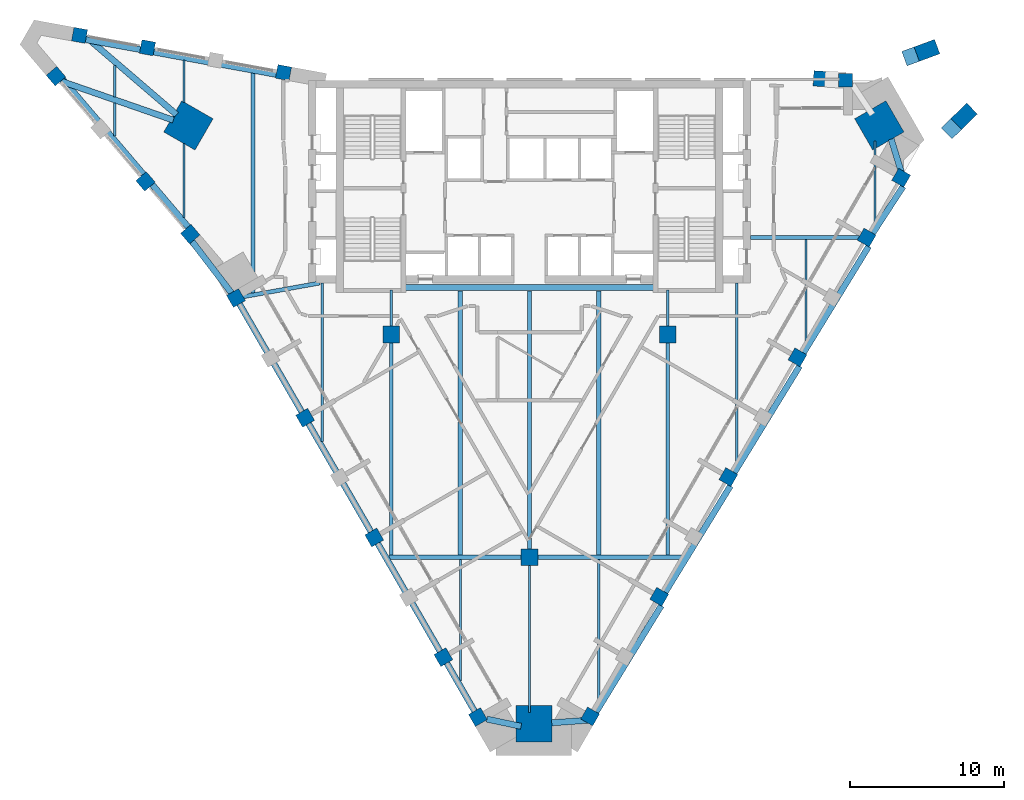
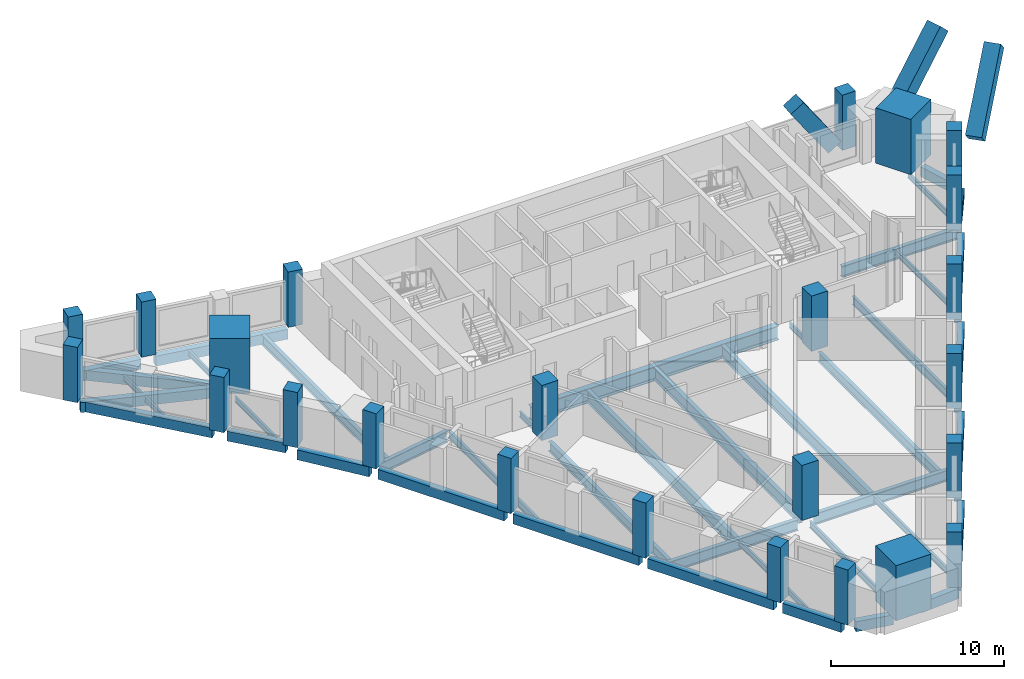
# One storey, part 1 of 9: 43 beams, 27 columns.
"""IFC4 building model written with IfcOpenShell, lengths in metres."""

from ifc_helpers import new_model, si_unit, direction, frame, origin, origin_2d, place, context, subcontext, project, spatial, rectangle, i_section, extrude, material, material_profile, profile_set, type_object, element, save


model = new_model("IFC4")

# Units and contexts
model_context = context("Model", 3, precision=1e-05, world=origin(), true_north=direction((0.0, 1.0)))
body_context = subcontext(model_context, "Body", "Model", "MODEL_VIEW")
ifc_project = project(units=[si_unit("LENGTHUNIT", "METRE"), si_unit("AREAUNIT", "SQUARE_METRE"), si_unit("VOLUMEUNIT", "CUBIC_METRE"), si_unit("PLANEANGLEUNIT", "RADIAN"), si_unit("MASSUNIT", "GRAM", prefix="KILO")], contexts=[model_context])

# Site, building, storey
site_placement = place(None, origin())
site = spatial("IfcSite", under=ifc_project, at=site_placement, CompositionType="ELEMENT")
building_placement = place(site_placement, origin())
building = spatial("IfcBuilding", under=site, at=building_placement, Name="Calabash Gate Tower", CompositionType="ELEMENT")
storey_placement = place(building_placement, frame((0.0, 0.0, 235.39990234375)))
storey = spatial("IfcBuildingStorey", under=building, at=storey_placement, Name="L56", CompositionType="ELEMENT", Elevation=235.39990234375)

# Columns
ifc_material_1 = material(Name="Concrete C60/75", Category="concrete")
ifc_material_profile_1 = material_profile(ifc_material_1, rectangle(XDim=1.10009765625, YDim=1.10009765625, at=origin_2d()))
ifc_profile_set_1 = profile_set([ifc_material_profile_1], Name="Concrete C60/75")
column_type_1 = type_object("IfcColumnType", Name="Interior column RC 1100x1100 Concrete C60/75", PredefinedType="COLUMN", material=ifc_profile_set_1)
for number, where, z_axis, x_axis, name in (
    (1, (-9.0, 2.5, 0.0), (0.0, 0.0, 1.0), (1.0, 0.0, 0.0), "Interior column L56 I0"),
    (2, (9.0, 2.5, 0.0), (0.0, 0.0, 1.0), (1.0, 0.0, 0.0), "Interior column L56 I1"),
    (3, (0.0, -12.0, 0.0), (0.0, 0.0, 1.0), (1.0, 0.0, 0.0), "Interior column L56 I2"),
):
    element("IfcColumn", number, at=place(storey_placement, frame(where, z_axis=z_axis, x_axis=x_axis)), inside=storey, type_object=column_type_1, Name=name, PredefinedType="COLUMN", context=body_context, shape_type="SweptSolid", body=[
        extrude(rectangle(XDim=1.10009765625, YDim=1.10009765625, at=origin_2d()), origin(), (0.0, 0.0, 1.0), 3.900146484375),
    ])
ifc_material_2 = material(Name="Concrete C70/85", Category="concrete")
ifc_material_profile_2 = material_profile(ifc_material_2, rectangle(XDim=2.35009765625, YDim=2.35009765625, at=origin_2d()))
ifc_profile_set_2 = profile_set([ifc_material_profile_2], Name="Concrete C70/85")
column_type_2 = type_object("IfcColumnType", Name="Mega column RC 2350x2350 Concrete C70/85", PredefinedType="COLUMN", material=ifc_profile_set_2)
for number, where, z_axis, x_axis, name in (
    (4, (-22.2060546875, 16.116943359375, 0.0), (0.0, 0.0, 1.0), (0.866025412511, -0.499999984885, 0.0), "Mega column L56 NW"),
    (5, (22.77392578125, 16.116943359375, 0.0), (0.0, 0.0, 1.0), (-0.866025412511, -0.499999984885, 0.0), "Mega column L56 NE"),
    (6, (0.283935546875, -22.8369140625, 0.0), (0.0, 0.0, 1.0), (0.0, 1.0, 0.0), "Mega column L56 S"),
):
    element("IfcColumn", number, at=place(storey_placement, frame(where, z_axis=z_axis, x_axis=x_axis)), inside=storey, type_object=column_type_2, Name=name, PredefinedType="COLUMN", context=body_context, shape_type="SweptSolid", body=[
        extrude(rectangle(XDim=2.35009765625, YDim=2.35009765625, at=origin_2d()), origin(), (0.0, 0.0, 1.0), 3.900146484375),
    ])
ifc_material_3 = material(Name="Concrete C60/75", Category="concrete")
ifc_material_profile_3 = material_profile(ifc_material_3, rectangle(XDim=0.89990234375, YDim=0.89990234375, at=origin_2d()))
ifc_profile_set_3 = profile_set([ifc_material_profile_3], Name="Concrete C60/75")
column_type_3 = type_object("IfcColumnType", Name="Perimeter column RC 900x900 Concrete C60/75", PredefinedType="COLUMN", material=ifc_profile_set_3)
for number, where, z_axis, x_axis, name in (
    (7, (-19.10693359375, 4.8779296875, 0.0), (0.0, 0.0, 1.0), (0.5, -0.866025403784, 0.0), "Perimeter column L56 P00"),
    (8, (-14.60693359375, -2.9169921875, 0.0), (0.0, 0.0, 1.0), (0.5, -0.866025403784, 0.0), "Perimeter column L56 P01"),
    (9, (-10.10693359375, -10.7109375, 0.0), (0.0, 0.0, 1.0), (0.5, -0.866025403784, 0.0), "Perimeter column L56 P02"),
    (10, (-5.60693359375, -18.5029296875, 0.0), (0.0, 0.0, 1.0), (0.5, -0.866025403784, 0.0), "Perimeter column L56 P03"),
    (11, (-3.35693359375, -22.402099609375, 0.0), (0.0, 0.0, 1.0), (0.5, -0.866025403784, 0.0), "Perimeter column L56 P25"),
    (12, (3.946044921875, -22.363037109375, 0.0), (0.0, 0.0, 1.0), (0.5, 0.866025403784, 0.0), "Perimeter column L56 P08"),
    (13, (8.446044921875, -14.571044921875, 0.0), (0.0, 0.0, 1.0), (0.5, 0.866025403784, 0.0), "Perimeter column L56 P09"),
    (14, (12.946044921875, -6.77587890625, 0.0), (0.0, 0.0, 1.0), (0.5, 0.866025403784, 0.0), "Perimeter column L56 P10"),
    (15, (17.446044921875, 1.01806640625, 0.0), (0.0, 0.0, 1.0), (0.5, 0.866025403784, 0.0), "Perimeter column L56 P11"),
    (16, (21.946044921875, 8.81201171875, 0.0), (0.0, 0.0, 1.0), (0.5, 0.866025403784, 0.0), "Perimeter column L56 P12"),
    (17, (24.196044921875, 12.708984375, 0.0), (0.0, 0.0, 1.0), (0.5, 0.866025403784, 0.0), "Perimeter column L56 P13"),
    (18, (20.576904296875, 19.052978515625, 0.0), (0.0, 0.0, 1.0), (-1.0, 0.0, 0.0), "Perimeter column L56 P24"),
    (19, (-16.012939453125, 19.551025390625, 0.0), (0.0, 0.0, 1.0), (-0.983669930074, 0.179981856499, 0.0), "Perimeter column L56 P31"),
    (20, (-24.865966796875, 21.1708984375, 0.0), (0.0, 0.0, 1.0), (-0.983669930074, 0.179981856499, 0.0), "Perimeter column L56 P32"),
    (21, (-29.29296875, 21.97998046875, 0.0), (0.0, 0.0, 1.0), (-0.983669930074, 0.179981856499, 0.0), "Perimeter column L56 P33"),
    (22, (-30.827880859375, 19.322021484375, 0.0), (0.0, 0.0, 1.0), (0.647703824985, -0.761892220133, 0.0), "Perimeter column L56 P34"),
    (23, (-24.998046875, 12.467041015625, 0.0), (0.0, 0.0, 1.0), (0.647703824985, -0.761892220133, 0.0), "Perimeter column L56 P20"),
    (24, (-22.083984375, 9.037109375, 0.0), (0.0, 0.0, 1.0), (0.647703824985, -0.761892220133, 0.0), "Perimeter column L56 P35"),
):
    element("IfcColumn", number, at=place(storey_placement, frame(where, z_axis=z_axis, x_axis=x_axis)), inside=storey, type_object=column_type_3, Name=name, PredefinedType="COLUMN", context=body_context, shape_type="SweptSolid", body=[
        extrude(rectangle(XDim=0.89990234375, YDim=0.89990234375, at=origin_2d()), origin(), (0.0, 0.0, 1.0), 3.900146484375),
    ])
ifc_material_4 = material(Name="Concrete C80/95", Category="concrete")
ifc_material_profile_4 = material_profile(ifc_material_4, rectangle(XDim=1.0, YDim=1.0, at=origin_2d()))
ifc_profile_set_4 = profile_set([ifc_material_profile_4], Name="Concrete C80/95")
column_type_4 = type_object("IfcColumnType", Name="Prow kicker column RC 1000x1000 Concrete C80/95", PredefinedType="COLUMN", material=ifc_profile_set_4)
column_1_placement = place(storey_placement, frame((27.408935546875, 15.842041015625, 0.0), z_axis=(0.514246555748, 0.501926926926, 0.695427810724), x_axis=(-0.497666803247, -0.485744369884, 0.718595964414)))
element("IfcColumn", 25, at=column_1_placement, inside=storey, type_object=column_type_4, Name="Prow kicker column L56 KP37", PredefinedType="COLUMN", context=body_context, shape_type="SweptSolid", body=[
    extrude(rectangle(XDim=1.0, YDim=1.0, at=origin_2d()), origin(), (0.0, 0.0, 1.0), 5.608154296875),
])
column_2_placement = place(storey_placement, frame((24.738037109375, 20.5830078125, 0.0), z_axis=(0.666505808109, 0.244970194516, 0.704101989456), x_axis=(-0.660877087805, -0.242901392277, 0.71009885822)))
element("IfcColumn", 26, at=column_2_placement, inside=storey, type_object=column_type_4, Name="Prow kicker column L56 KP38", PredefinedType="COLUMN", context=body_context, shape_type="SweptSolid", body=[
    extrude(rectangle(XDim=1.0, YDim=1.0, at=origin_2d()), origin(), (0.0, 0.0, 1.0), 5.5390625),
])
column_3_placement = place(storey_placement, frame((19.660888671875, 19.10791015625, 0.384033203125), z_axis=(-0.567220540472, 0.034679982682, 0.822835437538), x_axis=(0.821301804934, -0.050214564423, 0.56827972226)))
element("IfcColumn", 27, at=column_3_placement, inside=storey, type_object=column_type_4, Name="Prow kicker column L56 KP40", PredefinedType="COLUMN", context=body_context, shape_type="SweptSolid", body=[
    extrude(rectangle(XDim=1.0, YDim=1.0, at=origin_2d()), origin(), (0.0, 0.0, 1.0), 4.273193359375),
])

# Beams
ifc_material_5 = material(Name="Concrete C50/60", Category="concrete")
ifc_material_profile_5 = material_profile(ifc_material_5, rectangle(XDim=0.39990234375, YDim=0.699951171875, at=origin_2d()))
ifc_profile_set_5 = profile_set([ifc_material_profile_5], Name="Concrete C50/60")
beam_type_1 = type_object("IfcBeamType", Name="Edge beam RC 400x700 Concrete C50/60", PredefinedType="BEAM", material=ifc_profile_set_5)
beam_1_placement = place(storey_placement, frame((-14.39306640625, -3.282958984375, -0.52001953125), z_axis=(0.499782711929, -0.86615081877, 0.0), x_axis=(0.86615081877, 0.499782711929, 0.0)))
element("IfcBeam", 28, at=beam_1_placement, inside=storey, type_object=beam_type_1, Name="Edge beam L56 1", PredefinedType="BEAM", context=body_context, shape_type="SweptSolid", body=[
    extrude(rectangle(XDim=0.39990234375, YDim=0.699951171875, at=origin_2d()), origin(), (0.0, 0.0, 1.0), 8.417724609375),
])
beam_2_placement = place(storey_placement, frame((-9.89306640625, -11.0791015625, -0.52001953125), z_axis=(0.499895729157, -0.866085596215, 0.0), x_axis=(0.866085596215, 0.499895729157, 0.0)))
element("IfcBeam", 29, at=beam_2_placement, inside=storey, type_object=beam_type_1, Name="Edge beam L56 2", PredefinedType="BEAM", context=body_context, shape_type="SweptSolid", body=[
    extrude(rectangle(XDim=0.39990234375, YDim=0.699951171875, at=origin_2d()), origin(), (0.0, 0.0, 1.0), 8.415771484375),
])
beam_3_placement = place(storey_placement, frame((-5.39306640625, -18.873046875, -0.52001953125), z_axis=(0.499976213158, -0.866039136689, 0.0), x_axis=(0.866039136689, 0.499976213158, 0.0)))
element("IfcBeam", 30, at=beam_3_placement, inside=storey, type_object=beam_type_1, Name="Edge beam L56 3", PredefinedType="BEAM", context=body_context, shape_type="SweptSolid", body=[
    extrude(rectangle(XDim=0.39990234375, YDim=0.699951171875, at=origin_2d()), origin(), (0.0, 0.0, 1.0), 3.914306640625),
])
beam_4_placement = place(storey_placement, frame((-2.780029296875, -22.533935546875, -0.52001953125), z_axis=(0.978365528321, -0.206883766868, 0.0), x_axis=(0.206883766868, 0.978365528321, 0.0)))
element("IfcBeam", 31, at=beam_4_placement, inside=storey, type_object=beam_type_1, Name="Edge beam L56 4", PredefinedType="BEAM", context=body_context, shape_type="SweptSolid", body=[
    extrude(rectangle(XDim=0.39990234375, YDim=0.699951171875, at=origin_2d()), origin(), (0.0, 0.0, 1.0), 2.2822265625),
])
beam_5_placement = place(storey_placement, frame((1.447021484375, -22.777099609375, -0.52001953125), z_axis=(0.997431969311, 0.071620294589, 0.0), x_axis=(-0.071620294589, 0.997431969311, 0.0)))
element("IfcBeam", 32, at=beam_5_placement, inside=storey, type_object=beam_type_1, Name="Edge beam L56 5", PredefinedType="BEAM", context=body_context, shape_type="SweptSolid", body=[
    extrude(rectangle(XDim=0.39990234375, YDim=0.699951171875, at=origin_2d()), origin(), (0.0, 0.0, 1.0), 2.556640625),
])
beam_6_placement = place(storey_placement, frame((4.323974609375, -22.089111328125, -0.52001953125), z_axis=(0.522633729228, 0.852557320696, 0.0), x_axis=(-0.852557320696, 0.522633729228, 0.0)))
element("IfcBeam", 33, at=beam_6_placement, inside=storey, type_object=beam_type_1, Name="Edge beam L56 6", PredefinedType="BEAM", context=body_context, shape_type="SweptSolid", body=[
    extrude(rectangle(XDim=0.39990234375, YDim=0.699951171875, at=origin_2d()), origin(), (0.0, 0.0, 1.0), 8.147216796875),
])
beam_7_placement = place(storey_placement, frame((8.823974609375, -14.2939453125, -0.52001953125), z_axis=(0.522700496269, 0.852516387643, 0.0), x_axis=(-0.852516387643, 0.522700496269, 0.0)))
element("IfcBeam", 34, at=beam_7_placement, inside=storey, type_object=beam_type_1, Name="Edge beam L56 7", PredefinedType="BEAM", context=body_context, shape_type="SweptSolid", body=[
    extrude(rectangle(XDim=0.39990234375, YDim=0.699951171875, at=origin_2d()), origin(), (0.0, 0.0, 1.0), 8.146240234375),
])
beam_8_placement = place(storey_placement, frame((13.323974609375, -6.5, -0.52001953125), z_axis=(0.522580325568, 0.852590055847, 0.0), x_axis=(-0.852590055847, 0.522580325568, 0.0)))
element("IfcBeam", 35, at=beam_8_placement, inside=storey, type_object=beam_type_1, Name="Edge beam L56 8", PredefinedType="BEAM", context=body_context, shape_type="SweptSolid", body=[
    extrude(rectangle(XDim=0.39990234375, YDim=0.699951171875, at=origin_2d()), origin(), (0.0, 0.0, 1.0), 8.148193359375),
])
beam_9_placement = place(storey_placement, frame((17.823974609375, 1.2939453125, -0.52001953125), z_axis=(0.522633729228, 0.852557320696, 0.0), x_axis=(-0.852557320696, 0.522633729228, 0.0)))
element("IfcBeam", 36, at=beam_9_placement, inside=storey, type_object=beam_type_1, Name="Edge beam L56 9", PredefinedType="BEAM", context=body_context, shape_type="SweptSolid", body=[
    extrude(rectangle(XDim=0.39990234375, YDim=0.699951171875, at=origin_2d()), origin(), (0.0, 0.0, 1.0), 8.147216796875),
])
beam_10_placement = place(storey_placement, frame((22.333984375, 9.0830078125, -0.52001953125), z_axis=(0.544917784285, 0.838489480178, 0.0), x_axis=(-0.838489480178, 0.544917784285, 0.0)))
element("IfcBeam", 37, at=beam_10_placement, inside=storey, type_object=beam_type_1, Name="Edge beam L56 10", PredefinedType="BEAM", context=body_context, shape_type="SweptSolid", body=[
    extrude(rectangle(XDim=0.39990234375, YDim=0.699951171875, at=origin_2d()), origin(), (0.0, 0.0, 1.0), 3.6484375),
])
beam_11_placement = place(storey_placement, frame((24.341064453125, 12.64892578125, -0.52001953125), z_axis=(-0.294620568373, 0.955614315868, 0.0), x_axis=(-0.955614315868, -0.294620568373, 0.0)))
element("IfcBeam", 38, at=beam_11_placement, inside=storey, type_object=beam_type_1, Name="Edge beam L56 11", PredefinedType="BEAM", context=body_context, shape_type="SweptSolid", body=[
    extrude(rectangle(XDim=0.39990234375, YDim=0.699951171875, at=origin_2d()), origin(), (0.0, 0.0, 1.0), 2.69482421875),
])
beam_12_placement = place(storey_placement, frame((-16.491943359375, 19.43701171875, -0.52001953125), z_axis=(-0.983710376503, 0.179760660767, 0.0), x_axis=(-0.179760660767, -0.983710376503, 0.0)))
element("IfcBeam", 39, at=beam_12_placement, inside=storey, type_object=beam_type_1, Name="Edge beam L56 13", PredefinedType="BEAM", context=body_context, shape_type="SweptSolid", body=[
    extrude(rectangle(XDim=0.39990234375, YDim=0.699951171875, at=origin_2d()), origin(), (0.0, 0.0, 1.0), 8.099853515625),
])
beam_13_placement = place(storey_placement, frame((-25.343017578125, 21.056884765625, -0.52001953125), z_axis=(-0.983780846892, 0.179374594879, 0.0), x_axis=(-0.179374594879, -0.983780846892, 0.0)))
element("IfcBeam", 40, at=beam_13_placement, inside=storey, type_object=beam_type_1, Name="Edge beam L56 14", PredefinedType="BEAM", context=body_context, shape_type="SweptSolid", body=[
    extrude(rectangle(XDim=0.39990234375, YDim=0.699951171875, at=origin_2d()), origin(), (0.0, 0.0, 1.0), 3.601318359375),
])
beam_14_placement = place(storey_placement, frame((-28.873046875, 21.883056640625, -0.52001953125), z_axis=(0.758517949113, -0.651652147141, 0.0), x_axis=(0.651652147141, 0.758517949113, 0.0)))
element("IfcBeam", 41, at=beam_14_placement, inside=storey, type_object=beam_type_1, Name="Edge beam L56 15", PredefinedType="BEAM", context=body_context, shape_type="SweptSolid", body=[
    extrude(rectangle(XDim=0.39990234375, YDim=0.699951171875, at=origin_2d()), origin(), (0.0, 0.0, 1.0), 7.7744140625),
])
beam_15_placement = place(storey_placement, frame((-23.18408203125, 16.45703125, -0.52001953125), z_axis=(-0.944686766609, 0.3279739517, 0.0), x_axis=(-0.3279739517, -0.944686766609, 0.0)))
element("IfcBeam", 42, at=beam_15_placement, inside=storey, type_object=beam_type_1, Name="Edge beam L56 16", PredefinedType="BEAM", context=body_context, shape_type="SweptSolid", body=[
    extrude(rectangle(XDim=0.39990234375, YDim=0.699951171875, at=origin_2d()), origin(), (0.0, 0.0, 1.0), 7.778076171875),
])
beam_16_placement = place(storey_placement, frame((-30.384033203125, 19.10888671875, -0.52001953125), z_axis=(0.647777896435, -0.761829243919, 0.0), x_axis=(0.761829243919, 0.647777896435, 0.0)))
element("IfcBeam", 43, at=beam_16_placement, inside=storey, type_object=beam_type_1, Name="Edge beam L56 17", PredefinedType="BEAM", context=body_context, shape_type="SweptSolid", body=[
    extrude(rectangle(XDim=0.39990234375, YDim=0.699951171875, at=origin_2d()), origin(), (0.0, 0.0, 1.0), 8.10009765625),
])
beam_17_placement = place(storey_placement, frame((-24.553955078125, 12.251953125, -0.52001953125), z_axis=(0.647579511056, -0.761997885076, 0.0), x_axis=(0.761997885076, 0.647579511056, 0.0)))
element("IfcBeam", 44, at=beam_17_placement, inside=storey, type_object=beam_type_1, Name="Edge beam L56 18", PredefinedType="BEAM", context=body_context, shape_type="SweptSolid", body=[
    extrude(rectangle(XDim=0.39990234375, YDim=0.699951171875, at=origin_2d()), origin(), (0.0, 0.0, 1.0), 3.599609375),
])
beam_18_placement = place(storey_placement, frame((-21.972900390625, 8.56689453125, -0.52001953125), z_axis=(0.607868337106, -0.794037835839, 0.0), x_axis=(0.794037835839, 0.607868337106, 0.0)))
element("IfcBeam", 45, at=beam_18_placement, inside=storey, type_object=beam_type_1, Name="Edge beam L56 19", PredefinedType="BEAM", context=body_context, shape_type="SweptSolid", body=[
    extrude(rectangle(XDim=0.39990234375, YDim=0.699951171875, at=origin_2d()), origin(), (0.0, 0.0, 1.0), 4.505859375),
])
beam_19_placement = place(storey_placement, frame((-18.89306640625, 4.510009765625, -0.52001953125), z_axis=(0.499832936549, -0.86612183643, 0.0), x_axis=(0.86612183643, 0.499832936549, 0.0)))
element("IfcBeam", 46, at=beam_19_placement, inside=storey, type_object=beam_type_1, Name="Edge beam L56 20", PredefinedType="BEAM", context=body_context, shape_type="SweptSolid", body=[
    extrude(rectangle(XDim=0.39990234375, YDim=0.699951171875, at=origin_2d()), origin(), (0.0, 0.0, 1.0), 8.4169921875),
])
ifc_material_6 = material(Name="Steel ASTM A992 Gr50", Category="steel")
ifc_material_profile_6 = material_profile(ifc_material_6, i_section(OverallWidth=0.1396484375, OverallDepth=0.398681640625, WebThickness=0.00634765625, FlangeThickness=0.0087890625, FilletRadius=0.01025390625, at=origin_2d()))
ifc_profile_set_6 = profile_set([ifc_material_profile_6], Name="Steel ASTM A992 Gr50")
beam_type_2 = type_object("IfcBeamType", Name="Floor beam W16x26 ASTM A992 Gr50", PredefinedType="BEAM", material=ifc_profile_set_6)
beam_20_placement = place(storey_placement, frame((-27.0, 15.416015625, -0.368896484375), z_axis=(0.0, 1.0, 0.0), x_axis=(-1.0, 0.0, 0.0)))
element("IfcBeam", 47, at=beam_20_placement, inside=storey, type_object=beam_type_2, Name="Floor beam L56 1", PredefinedType="BEAM", context=body_context, shape_type="SweptSolid", body=[
    extrude(i_section(OverallWidth=0.1396484375, OverallDepth=0.398681640625, WebThickness=0.00634765625, FlangeThickness=0.0087890625, FilletRadius=0.01025390625, at=origin_2d()), origin(), (0.0, 0.0, 1.0), 2.1650390625),
])
beam_21_placement = place(storey_placement, frame((-27.0, 17.9609375, -0.368896484375), z_axis=(0.0, 1.0, 0.0), x_axis=(-1.0, 0.0, 0.0)))
element("IfcBeam", 48, at=beam_21_placement, inside=storey, type_object=beam_type_2, Name="Floor beam L56 2", PredefinedType="BEAM", context=body_context, shape_type="SweptSolid", body=[
    extrude(i_section(OverallWidth=0.1396484375, OverallDepth=0.398681640625, WebThickness=0.00634765625, FlangeThickness=0.0087890625, FilletRadius=0.01025390625, at=origin_2d()), origin(), (0.0, 0.0, 1.0), 2.071044921875),
])
beam_22_placement = place(storey_placement, frame((-22.5, 10.1220703125, -0.368896484375), z_axis=(0.0, 1.0, 0.0), x_axis=(-1.0, 0.0, 0.0)))
element("IfcBeam", 49, at=beam_22_placement, inside=storey, type_object=beam_type_2, Name="Floor beam L56 3", PredefinedType="BEAM", context=body_context, shape_type="SweptSolid", body=[
    extrude(i_section(OverallWidth=0.1396484375, OverallDepth=0.398681640625, WebThickness=0.00634765625, FlangeThickness=0.0087890625, FilletRadius=0.01025390625, at=origin_2d()), origin(), (0.0, 0.0, 1.0), 4.830810546875),
])
beam_23_placement = place(storey_placement, frame((-22.5, 17.6201171875, -0.368896484375), z_axis=(0.0, 1.0, 0.0), x_axis=(-1.0, 0.0, 0.0)))
element("IfcBeam", 50, at=beam_23_placement, inside=storey, type_object=beam_type_2, Name="Floor beam L56 4", PredefinedType="BEAM", context=body_context, shape_type="SweptSolid", body=[
    extrude(i_section(OverallWidth=0.1396484375, OverallDepth=0.398681640625, WebThickness=0.00634765625, FlangeThickness=0.0087890625, FilletRadius=0.01025390625, at=origin_2d()), origin(), (0.0, 0.0, 1.0), 2.742919921875),
])
beam_24_placement = place(storey_placement, frame((-9.0, 3.050048828125, -0.368896484375), z_axis=(0.0, 1.0, 0.0), x_axis=(-1.0, 0.0, 0.0)))
element("IfcBeam", 51, at=beam_24_placement, inside=storey, type_object=beam_type_2, Name="Floor beam L56 8", PredefinedType="BEAM", context=body_context, shape_type="SweptSolid", body=[
    extrude(i_section(OverallWidth=0.1396484375, OverallDepth=0.398681640625, WebThickness=0.00634765625, FlangeThickness=0.0087890625, FilletRadius=0.01025390625, at=origin_2d()), origin(), (0.0, 0.0, 1.0), 2.35302734375),
])
beam_25_placement = place(storey_placement, frame((-4.5, -20.053955078125, -0.368896484375), z_axis=(0.0, 1.0, 0.0), x_axis=(-1.0, 0.0, 0.0)))
element("IfcBeam", 52, at=beam_25_placement, inside=storey, type_object=beam_type_2, Name="Floor beam L56 9", PredefinedType="BEAM", context=body_context, shape_type="SweptSolid", body=[
    extrude(i_section(OverallWidth=0.1396484375, OverallDepth=0.398681640625, WebThickness=0.00634765625, FlangeThickness=0.0087890625, FilletRadius=0.01025390625, at=origin_2d()), origin(), (0.0, 0.0, 1.0), 7.9208984375),
])
beam_26_placement = place(storey_placement, frame((9.0, 3.050048828125, -0.368896484375), z_axis=(0.0, 1.0, 0.0), x_axis=(-1.0, 0.0, 0.0)))
element("IfcBeam", 53, at=beam_26_placement, inside=storey, type_object=beam_type_2, Name="Floor beam L56 16", PredefinedType="BEAM", context=body_context, shape_type="SweptSolid", body=[
    extrude(i_section(OverallWidth=0.1396484375, OverallDepth=0.398681640625, WebThickness=0.00634765625, FlangeThickness=0.0087890625, FilletRadius=0.01025390625, at=origin_2d()), origin(), (0.0, 0.0, 1.0), 2.35302734375),
])
beam_27_placement = place(storey_placement, frame((18.0, 1.947021484375, -0.368896484375), z_axis=(0.0, 1.0, 0.0), x_axis=(-1.0, 0.0, 0.0)))
element("IfcBeam", 54, at=beam_27_placement, inside=storey, type_object=beam_type_2, Name="Floor beam L56 18", PredefinedType="BEAM", context=body_context, shape_type="SweptSolid", body=[
    extrude(i_section(OverallWidth=0.1396484375, OverallDepth=0.398681640625, WebThickness=0.00634765625, FlangeThickness=0.0087890625, FilletRadius=0.01025390625, at=origin_2d()), origin(), (0.0, 0.0, 1.0), 6.73193359375),
])
beam_28_placement = place(storey_placement, frame((22.5, 9.679931640625, -0.368896484375), z_axis=(0.0, 1.0, 0.0), x_axis=(-1.0, 0.0, 0.0)))
element("IfcBeam", 55, at=beam_28_placement, inside=storey, type_object=beam_type_2, Name="Floor beam L56 19", PredefinedType="BEAM", context=body_context, shape_type="SweptSolid", body=[
    extrude(i_section(OverallWidth=0.1396484375, OverallDepth=0.398681640625, WebThickness=0.00634765625, FlangeThickness=0.0087890625, FilletRadius=0.01025390625, at=origin_2d()), origin(), (0.0, 0.0, 1.0), 5.4111328125),
])
ifc_material_7 = material(Name="Steel ASTM A992 Gr50", Category="steel")
ifc_material_profile_7 = material_profile(ifc_material_7, i_section(OverallWidth=0.15234375, OverallDepth=0.44970703125, WebThickness=0.007568359375, FlangeThickness=0.0107421875, FilletRadius=0.01025390625, at=origin_2d()))
ifc_profile_set_7 = profile_set([ifc_material_profile_7], Name="Steel ASTM A992 Gr50")
beam_type_3 = type_object("IfcBeamType", Name="Floor beam W18x35 ASTM A992 Gr50", PredefinedType="BEAM", material=ifc_profile_set_7)
beam_29_placement = place(storey_placement, frame((0.0, -22.093994140625, -0.392822265625), z_axis=(0.0, 1.0, 0.0), x_axis=(-1.0, 0.0, 0.0)))
element("IfcBeam", 56, at=beam_29_placement, inside=storey, type_object=beam_type_3, Name="Floor beam L56 11", PredefinedType="BEAM", context=body_context, shape_type="SweptSolid", body=[
    extrude(i_section(OverallWidth=0.15234375, OverallDepth=0.44970703125, WebThickness=0.007568359375, FlangeThickness=0.0107421875, FilletRadius=0.01025390625, at=origin_2d()), origin(), (0.0, 0.0, 1.0), 9.5439453125),
])
beam_30_placement = place(storey_placement, frame((4.5, -21.43701171875, -0.392822265625), z_axis=(0.0, 1.0, 0.0), x_axis=(-1.0, 0.0, 0.0)))
element("IfcBeam", 57, at=beam_30_placement, inside=storey, type_object=beam_type_3, Name="Floor beam L56 13", PredefinedType="BEAM", context=body_context, shape_type="SweptSolid", body=[
    extrude(i_section(OverallWidth=0.15234375, OverallDepth=0.44970703125, WebThickness=0.007568359375, FlangeThickness=0.0107421875, FilletRadius=0.01025390625, at=origin_2d()), origin(), (0.0, 0.0, 1.0), 9.303955078125),
])
ifc_material_8 = material(Name="Steel ASTM A992 Gr50", Category="steel")
ifc_material_profile_8 = material_profile(ifc_material_8, i_section(OverallWidth=0.166015625, OverallDepth=0.5283203125, WebThickness=0.009765625, FlangeThickness=0.013671875, FilletRadius=0.0126953125, at=origin_2d()))
ifc_profile_set_8 = profile_set([ifc_material_profile_8], Name="Steel ASTM A992 Gr50")
beam_type_4 = type_object("IfcBeamType", Name="Floor beam W21x50 ASTM A992 Gr50", PredefinedType="BEAM", material=ifc_profile_set_8)
beam_31_placement = place(storey_placement, frame((-13.5, -4.446044921875, -0.433837890625), z_axis=(0.0, 1.0, 0.0), x_axis=(-1.0, 0.0, 0.0)))
element("IfcBeam", 58, at=beam_31_placement, inside=storey, type_object=beam_type_4, Name="Floor beam L56 6", PredefinedType="BEAM", context=body_context, shape_type="SweptSolid", body=[
    extrude(i_section(OverallWidth=0.166015625, OverallDepth=0.5283203125, WebThickness=0.009765625, FlangeThickness=0.013671875, FilletRadius=0.0126953125, at=origin_2d()), origin(), (0.0, 0.0, 1.0), 10.299072265625),
])
ifc_material_9 = material(Name="Steel ASTM A992 Gr50", Category="steel")
ifc_material_profile_9 = material_profile(ifc_material_9, i_section(OverallWidth=0.1787109375, OverallDepth=0.60205078125, WebThickness=0.010986328125, FlangeThickness=0.014892578125, FilletRadius=0.0126953125, at=origin_2d()))
ifc_profile_set_9 = profile_set([ifc_material_profile_9], Name="Steel ASTM A992 Gr50")
beam_type_5 = type_object("IfcBeamType", Name="Floor beam W24x62 ASTM A992 Gr50", PredefinedType="BEAM", material=ifc_profile_set_9)
beam_32_placement = place(storey_placement, frame((13.5, -5.84912109375, -0.470947265625), z_axis=(0.0, 1.0, 0.0), x_axis=(-1.0, 0.0, 0.0)))
element("IfcBeam", 59, at=beam_32_placement, inside=storey, type_object=beam_type_5, Name="Floor beam L56 17", PredefinedType="BEAM", context=body_context, shape_type="SweptSolid", body=[
    extrude(i_section(OverallWidth=0.1787109375, OverallDepth=0.60205078125, WebThickness=0.010986328125, FlangeThickness=0.014892578125, FilletRadius=0.0126953125, at=origin_2d()), origin(), (0.0, 0.0, 1.0), 11.7021484375),
])
ifc_material_10 = material(Name="Steel ASTM A992 Gr50", Category="steel")
ifc_material_profile_10 = material_profile(ifc_material_10, i_section(OverallWidth=0.25390625, OverallDepth=0.67822265625, WebThickness=0.01171875, FlangeThickness=0.016357421875, FilletRadius=0.01513671875, at=origin_2d()))
ifc_profile_set_10 = profile_set([ifc_material_profile_10], Name="Steel ASTM A992 Gr50")
beam_type_6 = type_object("IfcBeamType", Name="Floor beam W27x84 ASTM A992 Gr50", PredefinedType="BEAM", material=ifc_profile_set_10)
beam_33_placement = place(storey_placement, frame((-18.0, 5.179931640625, -0.5087890625), z_axis=(0.0, 1.0, 0.0), x_axis=(-1.0, 0.0, 0.0)))
element("IfcBeam", 60, at=beam_33_placement, inside=storey, type_object=beam_type_6, Name="Floor beam L56 5", PredefinedType="BEAM", context=body_context, shape_type="SweptSolid", body=[
    extrude(i_section(OverallWidth=0.25390625, OverallDepth=0.67822265625, WebThickness=0.01171875, FlangeThickness=0.016357421875, FilletRadius=0.01513671875, at=origin_2d()), origin(), (0.0, 0.0, 1.0), 14.360107421875),
])
beam_34_placement = place(storey_placement, frame((-9.0, -11.8798828125, -0.5087890625), z_axis=(0.0, 1.0, 0.0), x_axis=(-1.0, 0.0, 0.0)))
element("IfcBeam", 61, at=beam_34_placement, inside=storey, type_object=beam_type_6, Name="Floor beam L56 7", PredefinedType="BEAM", context=body_context, shape_type="SweptSolid", body=[
    extrude(i_section(OverallWidth=0.25390625, OverallDepth=0.67822265625, WebThickness=0.01171875, FlangeThickness=0.016357421875, FilletRadius=0.01513671875, at=origin_2d()), origin(), (0.0, 0.0, 1.0), 13.829833984375),
])
beam_35_placement = place(storey_placement, frame((9.0, -11.866943359375, -0.5087890625), z_axis=(0.0, 1.0, 0.0), x_axis=(-1.0, 0.0, 0.0)))
element("IfcBeam", 62, at=beam_35_placement, inside=storey, type_object=beam_type_6, Name="Floor beam L56 15", PredefinedType="BEAM", context=body_context, shape_type="SweptSolid", body=[
    extrude(i_section(OverallWidth=0.25390625, OverallDepth=0.67822265625, WebThickness=0.01171875, FlangeThickness=0.016357421875, FilletRadius=0.01513671875, at=origin_2d()), origin(), (0.0, 0.0, 1.0), 13.81689453125),
])
ifc_material_11 = material(Name="Steel ASTM A992 Gr50", Category="steel")
ifc_material_profile_11 = material_profile(ifc_material_11, i_section(OverallWidth=0.2919921875, OverallDepth=0.845703125, WebThickness=0.015380859375, FlangeThickness=0.0244140625, FilletRadius=0.017822265625, at=origin_2d()))
ifc_profile_set_11 = profile_set([ifc_material_profile_11], Name="Steel ASTM A992 Gr50")
beam_type_7 = type_object("IfcBeamType", Name="Floor beam W33x141 ASTM A992 Gr50", PredefinedType="BEAM", material=ifc_profile_set_11)
beam_36_placement = place(storey_placement, frame((-4.5, -11.866943359375, -0.593017578125), z_axis=(0.0, 1.0, 0.0), x_axis=(-1.0, 0.0, 0.0)))
element("IfcBeam", 63, at=beam_36_placement, inside=storey, type_object=beam_type_7, Name="Floor beam L56 10", PredefinedType="BEAM", context=body_context, shape_type="SweptSolid", body=[
    extrude(i_section(OverallWidth=0.2919921875, OverallDepth=0.845703125, WebThickness=0.015380859375, FlangeThickness=0.0244140625, FilletRadius=0.017822265625, at=origin_2d()), origin(), (0.0, 0.0, 1.0), 17.218994140625),
])
beam_37_placement = place(storey_placement, frame((0.0, -11.449951171875, -0.593017578125), z_axis=(0.0, 1.0, 0.0), x_axis=(-1.0, 0.0, 0.0)))
element("IfcBeam", 64, at=beam_37_placement, inside=storey, type_object=beam_type_7, Name="Floor beam L56 12", PredefinedType="BEAM", context=body_context, shape_type="SweptSolid", body=[
    extrude(i_section(OverallWidth=0.2919921875, OverallDepth=0.845703125, WebThickness=0.015380859375, FlangeThickness=0.0244140625, FilletRadius=0.017822265625, at=origin_2d()), origin(), (0.0, 0.0, 1.0), 16.802001953125),
])
beam_38_placement = place(storey_placement, frame((4.5, -11.866943359375, -0.593017578125), z_axis=(0.0, 1.0, 0.0), x_axis=(-1.0, 0.0, 0.0)))
element("IfcBeam", 65, at=beam_38_placement, inside=storey, type_object=beam_type_7, Name="Floor beam L56 14", PredefinedType="BEAM", context=body_context, shape_type="SweptSolid", body=[
    extrude(i_section(OverallWidth=0.2919921875, OverallDepth=0.845703125, WebThickness=0.015380859375, FlangeThickness=0.0244140625, FilletRadius=0.017822265625, at=origin_2d()), origin(), (0.0, 0.0, 1.0), 17.218994140625),
])
ifc_material_12 = material(Name="Steel ASTM A992 Gr50", Category="steel")
ifc_material_profile_12 = material_profile(ifc_material_12, i_section(OverallWidth=0.2666015625, OverallDepth=0.77978515625, WebThickness=0.0166015625, FlangeThickness=0.030029296875, FilletRadius=0.0166015625, at=origin_2d()))
ifc_profile_set_12 = profile_set([ifc_material_profile_12], Name="Steel ASTM A992 Gr50")
beam_type_8 = type_object("IfcBeamType", Name="Girder W30x148 ASTM A992 Gr50", PredefinedType="BEAM", material=ifc_profile_set_12)
beam_39_placement = place(storey_placement, frame((-18.657958984375, 4.9580078125, -0.559814453125), z_axis=(0.984297088415, 0.176519805509, 0.0), x_axis=(-0.176519805509, 0.984297088415, 0.0)))
element("IfcBeam", 66, at=beam_39_placement, inside=storey, type_object=beam_type_8, Name="Girder L56 2", PredefinedType="BEAM", context=body_context, shape_type="SweptSolid", body=[
    extrude(i_section(OverallWidth=0.2666015625, OverallDepth=0.77978515625, WebThickness=0.0166015625, FlangeThickness=0.030029296875, FilletRadius=0.0166015625, at=origin_2d()), origin(), (0.0, 0.0, 1.0), 5.0869140625),
])
beam_40_placement = place(storey_placement, frame((22.1279296875, 8.81201171875, -0.559814453125), z_axis=(-1.0, 0.0, 0.0), x_axis=(0.0, -1.0, 0.0)))
element("IfcBeam", 67, at=beam_40_placement, inside=storey, type_object=beam_type_8, Name="Girder L56 3", PredefinedType="BEAM", context=body_context, shape_type="SweptSolid", body=[
    extrude(i_section(OverallWidth=0.2666015625, OverallDepth=0.77978515625, WebThickness=0.0166015625, FlangeThickness=0.030029296875, FilletRadius=0.0166015625, at=origin_2d()), origin(), (0.0, 0.0, 1.0), 7.72802734375),
])
beam_41_placement = place(storey_placement, frame((-9.153076171875, -12.0, -0.559814453125), z_axis=(1.0, 0.0, 0.0), x_axis=(0.0, 1.0, 0.0)))
element("IfcBeam", 68, at=beam_41_placement, inside=storey, type_object=beam_type_8, Name="Girder L56 4", PredefinedType="BEAM", context=body_context, shape_type="SweptSolid", body=[
    extrude(i_section(OverallWidth=0.2666015625, OverallDepth=0.77978515625, WebThickness=0.0166015625, FlangeThickness=0.030029296875, FilletRadius=0.0166015625, at=origin_2d()), origin(), (0.0, 0.0, 1.0), 8.60302734375),
])
beam_42_placement = place(storey_placement, frame((0.550048828125, -12.0, -0.559814453125), z_axis=(1.0, 0.0, 0.0), x_axis=(0.0, 1.0, 0.0)))
element("IfcBeam", 69, at=beam_42_placement, inside=storey, type_object=beam_type_8, Name="Girder L56 5", PredefinedType="BEAM", context=body_context, shape_type="SweptSolid", body=[
    extrude(i_section(OverallWidth=0.2666015625, OverallDepth=0.77978515625, WebThickness=0.0166015625, FlangeThickness=0.030029296875, FilletRadius=0.0166015625, at=origin_2d()), origin(), (0.0, 0.0, 1.0), 9.469970703125),
])
ifc_material_13 = material(Name="Steel ASTM A992 Gr50", Category="steel")
ifc_material_profile_13 = material_profile(ifc_material_13, i_section(OverallWidth=0.4013671875, OverallDepth=1.000732421875, WebThickness=0.01904296875, FlangeThickness=0.0361328125, FilletRadius=0.030029296875, at=origin_2d()))
ifc_profile_set_13 = profile_set([ifc_material_profile_13], Name="Steel ASTM A992 Gr50")
beam_type_9 = type_object("IfcBeamType", Name="Girder W40x249 ASTM A992 Gr50", PredefinedType="BEAM", material=ifc_profile_set_13)
beam_43_placement = place(storey_placement, frame((-8.25, 5.552978515625, -0.669921875), z_axis=(1.0, 0.0, 0.0), x_axis=(0.0, 1.0, 0.0)))
element("IfcBeam", 70, at=beam_43_placement, inside=storey, type_object=beam_type_9, Name="Girder L56 1", PredefinedType="BEAM", context=body_context, shape_type="SweptSolid", body=[
    extrude(i_section(OverallWidth=0.4013671875, OverallDepth=1.000732421875, WebThickness=0.01904296875, FlangeThickness=0.0361328125, FilletRadius=0.030029296875, at=origin_2d()), origin(), (0.0, 0.0, 1.0), 16.5),
])

save(model, "model.ifc")
